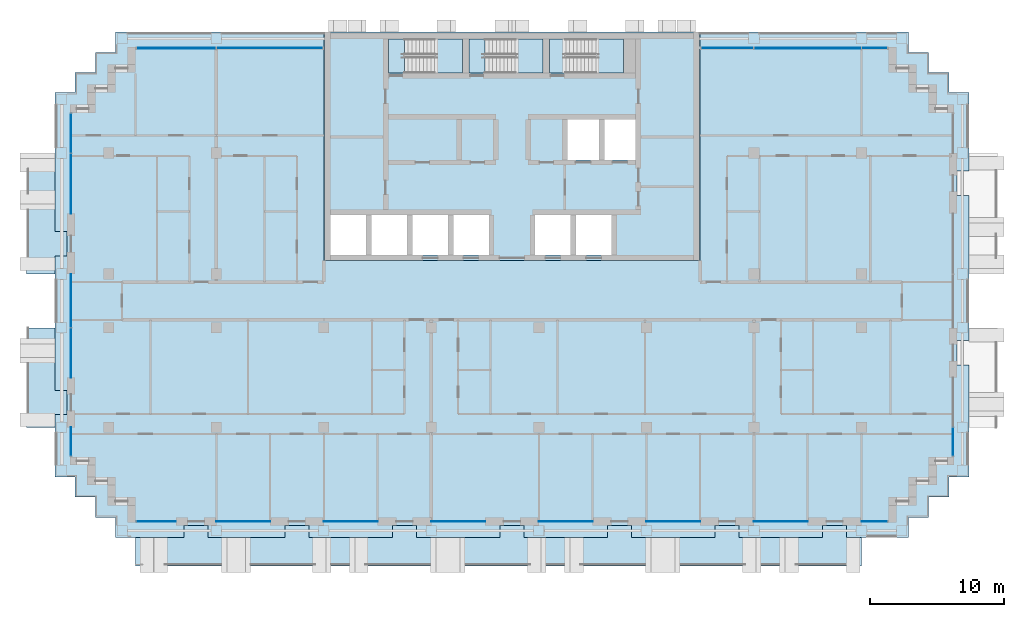
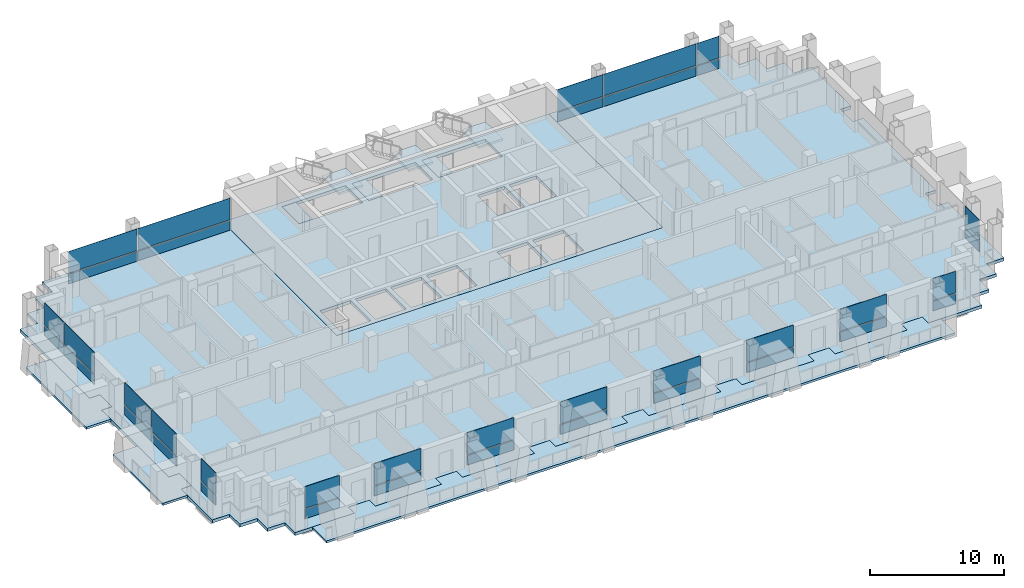
# One storey, part 6 of 16: 38 plates, 11 slabs, 17 elements without a shape of their own.
"""IFC4 building model written with IfcOpenShell, lengths in metres."""

from ifc_helpers import new_model, si_unit, direction, frame, origin, origin_2d, place, context, subcontext, project, spatial, polyline, rectangle, outline, extrude, material, layer, layer_set, type_object, element, aggregate, save


model = new_model("IFC4")

# Units and contexts
model_context = context("Model", 3, precision=1e-05, world=origin(), true_north=direction((0.0, 1.0)))
body_context = subcontext(model_context, "Body", "Model", "MODEL_VIEW")
ifc_project = project(units=[si_unit("LENGTHUNIT", "METRE"), si_unit("AREAUNIT", "SQUARE_METRE"), si_unit("VOLUMEUNIT", "CUBIC_METRE"), si_unit("PLANEANGLEUNIT", "RADIAN"), si_unit("MASSUNIT", "GRAM", prefix="KILO")], contexts=[model_context])

# Site, building, storey
site_placement = place(None, origin())
site = spatial("IfcSite", under=ifc_project, at=site_placement, CompositionType="ELEMENT")
building_placement = place(site_placement, origin())
building = spatial("IfcBuilding", under=site, at=building_placement, Name="Vidyagriha Tower", CompositionType="ELEMENT")
storey_placement = place(building_placement, frame((0.0, 0.0, 145.39990234375)))
storey = spatial("IfcBuildingStorey", under=building, at=storey_placement, Name="L38", CompositionType="ELEMENT", Elevation=145.39990234375)

# Curtain wall, plates
ifc_material_1 = material(Name="Aluminium and glass curtain wall", Category="aluminium")
curtain_wall_type = type_object("IfcCurtainWallType", Name="Dwelling skin unitised curtain wall", PredefinedType="USERDEFINED", material=ifc_material_1)
curtain_wall_1_placement = place(storey_placement, origin())
curtain_wall_1 = element("IfcCurtainWall", 1, at=curtain_wall_1_placement, inside=storey, type_object=curtain_wall_type, Name="CW1 dwelling skin", ObjectType="UNITISED", PredefinedType="USERDEFINED")
ifc_material_2 = material(Name="Glass dark ceramic-fritted spandrel", Category="glass")
ifc_layer_1 = layer(ifc_material_2, 0.0400390625)
ifc_layer_set_1 = layer_set([ifc_layer_1], Name="Glass dark ceramic-fritted spandrel")
plate_type_1 = type_object("IfcPlateType", Name="Ceramic-fritted spandrel panel", PredefinedType="CURTAIN_PANEL", material=ifc_layer_set_1)
plate_1_placement = place(storey_placement, frame((26.982421875, 18.800048828125, 0.0), z_axis=(0.0, 0.0, 1.0), x_axis=(-1.0, 0.0, 0.0)))
plate_1 = element("IfcPlate", 2, at=plate_1_placement, type_object=plate_type_1, Name="CW1 panel 1.1", PredefinedType="CURTAIN_PANEL", context=body_context, shape_type="SweptSolid", body=[
    extrude(rectangle(XDim=1.89501953125, YDim=0.0400390625, at=origin_2d()), origin(), (0.0, 0.0, 1.0), 0.85009765625),
])
plate_2_placement = place(storey_placement, frame((16.017578125, 18.800048828125, 0.0), z_axis=(0.0, 0.0, 1.0), x_axis=(-1.0, 0.0, 0.0)))
plate_2 = element("IfcPlate", 3, at=plate_2_placement, type_object=plate_type_1, Name="CW1 panel 3.1", PredefinedType="CURTAIN_PANEL", context=body_context, shape_type="SweptSolid", body=[
    extrude(rectangle(XDim=3.89501953125, YDim=0.0400390625, at=origin_2d()), origin(), (0.0, 0.0, 1.0), 0.85009765625),
])

# Curtain wall, plate
curtain_wall_2_placement = place(storey_placement, origin())
curtain_wall_2 = element("IfcCurtainWall", 4, at=curtain_wall_2_placement, inside=storey, type_object=curtain_wall_type, Name="CW1 dwelling skin", ObjectType="UNITISED", PredefinedType="USERDEFINED")
plate_3_placement = place(storey_placement, frame((-18.017578125, 18.800048828125, 0.0), z_axis=(0.0, 0.0, 1.0), x_axis=(-1.0, 0.0, 0.0)))
plate_3 = element("IfcPlate", 5, at=plate_3_placement, type_object=plate_type_1, Name="CW1 panel 1.1", PredefinedType="CURTAIN_PANEL", context=body_context, shape_type="SweptSolid", body=[
    extrude(rectangle(XDim=7.89501953125, YDim=0.0400390625, at=origin_2d()), origin(), (0.0, 0.0, 1.0), 0.85009765625),
])

# Curtain wall, plates
curtain_wall_3_placement = place(storey_placement, origin())
curtain_wall_3 = element("IfcCurtainWall", 6, at=curtain_wall_3_placement, inside=storey, type_object=curtain_wall_type, Name="CW1 dwelling skin", ObjectType="UNITISED", PredefinedType="USERDEFINED")
plate_4_placement = place(storey_placement, frame((-32.800048828125, 12.482421875, 0.0), z_axis=(0.0, 0.0, 1.0), x_axis=(0.0, -1.0, 0.0)))
plate_4 = element("IfcPlate", 7, at=plate_4_placement, type_object=plate_type_1, Name="CW1 panel 1.1", PredefinedType="CURTAIN_PANEL", context=body_context, shape_type="SweptSolid", body=[
    extrude(rectangle(XDim=2.89501953125, YDim=0.0400390625, at=origin_2d()), origin(), (0.0, 0.0, 1.0), 0.85009765625),
])
plate_5_placement = place(storey_placement, frame((-32.800048828125, 8.732421875, 0.0), z_axis=(0.0, 0.0, 1.0), x_axis=(0.0, -1.0, 0.0)))
plate_5 = element("IfcPlate", 8, at=plate_5_placement, type_object=plate_type_1, Name="CW1 panel 2.1", PredefinedType="CURTAIN_PANEL", context=body_context, shape_type="SweptSolid", body=[
    extrude(rectangle(XDim=4.465087890625, YDim=0.0400390625, at=origin_2d()), origin(), (0.0, 0.0, 1.0), 0.85009765625),
])

# Curtain wall, plate
curtain_wall_4_placement = place(storey_placement, origin())
curtain_wall_4 = element("IfcCurtainWall", 9, at=curtain_wall_4_placement, inside=storey, type_object=curtain_wall_type, Name="CW1 dwelling skin", ObjectType="UNITISED", PredefinedType="USERDEFINED")
plate_6_placement = place(storey_placement, frame((-32.800048828125, -10.465087890625, 0.0), z_axis=(0.0, 0.0, 1.0), x_axis=(0.0, -1.0, 0.0)))
plate_6 = element("IfcPlate", 10, at=plate_6_placement, type_object=plate_type_1, Name="CW1 panel 1.1", PredefinedType="CURTAIN_PANEL", context=body_context, shape_type="SweptSolid", body=[
    extrude(rectangle(XDim=2.1298828125, YDim=0.0400390625, at=origin_2d()), origin(), (0.0, 0.0, 1.0), 0.85009765625),
])

curtain_wall_5_placement = place(storey_placement, origin())
curtain_wall_5 = element("IfcCurtainWall", 11, at=curtain_wall_5_placement, inside=storey, type_object=curtain_wall_type, Name="CW1 dwelling skin", ObjectType="UNITISED", PredefinedType="USERDEFINED")
plate_7_placement = place(storey_placement, frame((-26.465087890625, -16.39990234375, 0.0)))
plate_7 = element("IfcPlate", 12, at=plate_7_placement, type_object=plate_type_1, Name="CW1 panel 1.1", PredefinedType="CURTAIN_PANEL", context=body_context, shape_type="SweptSolid", body=[
    extrude(rectangle(XDim=2.929931640625, YDim=0.0400390625, at=origin_2d()), origin(), (0.0, 0.0, 1.0), 0.85009765625),
])

curtain_wall_6_placement = place(storey_placement, origin())
curtain_wall_6 = element("IfcCurtainWall", 13, at=curtain_wall_6_placement, inside=storey, type_object=curtain_wall_type, Name="CW1 dwelling skin", ObjectType="UNITISED", PredefinedType="USERDEFINED")
plate_8_placement = place(storey_placement, frame((-12.0, -16.39990234375, 0.0)))
plate_8 = element("IfcPlate", 14, at=plate_8_placement, type_object=plate_type_1, Name="CW1 panel 1.1", PredefinedType="CURTAIN_PANEL", context=body_context, shape_type="SweptSolid", body=[
    extrude(rectangle(XDim=4.0, YDim=0.0400390625, at=origin_2d()), origin(), (0.0, 0.0, 1.0), 0.85009765625),
])

curtain_wall_7_placement = place(storey_placement, origin())
curtain_wall_7 = element("IfcCurtainWall", 15, at=curtain_wall_7_placement, inside=storey, type_object=curtain_wall_type, Name="CW1 dwelling skin", ObjectType="UNITISED", PredefinedType="USERDEFINED")
plate_9_placement = place(storey_placement, frame((4.0, -16.39990234375, 0.0)))
plate_9 = element("IfcPlate", 16, at=plate_9_placement, type_object=plate_type_1, Name="CW1 panel 1.1", PredefinedType="CURTAIN_PANEL", context=body_context, shape_type="SweptSolid", body=[
    extrude(rectangle(XDim=4.0, YDim=0.0400390625, at=origin_2d()), origin(), (0.0, 0.0, 1.0), 0.85009765625),
])

curtain_wall_8_placement = place(storey_placement, origin())
curtain_wall_8 = element("IfcCurtainWall", 17, at=curtain_wall_8_placement, inside=storey, type_object=curtain_wall_type, Name="CW1 dwelling skin", ObjectType="UNITISED", PredefinedType="USERDEFINED")
plate_10_placement = place(storey_placement, frame((20.0, -16.39990234375, 0.0)))
plate_10 = element("IfcPlate", 18, at=plate_10_placement, type_object=plate_type_1, Name="CW1 panel 1.1", PredefinedType="CURTAIN_PANEL", context=body_context, shape_type="SweptSolid", body=[
    extrude(rectangle(XDim=4.0, YDim=0.0400390625, at=origin_2d()), origin(), (0.0, 0.0, 1.0), 0.85009765625),
])

curtain_wall_9_placement = place(storey_placement, origin())
curtain_wall_9 = element("IfcCurtainWall", 19, at=curtain_wall_9_placement, inside=storey, type_object=curtain_wall_type, Name="CW1 dwelling skin", ObjectType="UNITISED", PredefinedType="USERDEFINED")
plate_11_placement = place(storey_placement, frame((26.965087890625, -16.39990234375, 0.0)))
plate_11 = element("IfcPlate", 20, at=plate_11_placement, type_object=plate_type_1, Name="CW1 panel 1.1", PredefinedType="CURTAIN_PANEL", context=body_context, shape_type="SweptSolid", body=[
    extrude(rectangle(XDim=1.929931640625, YDim=0.0400390625, at=origin_2d()), origin(), (0.0, 0.0, 1.0), 0.85009765625),
])

curtain_wall_10_placement = place(storey_placement, origin())
curtain_wall_10 = element("IfcCurtainWall", 21, at=curtain_wall_10_placement, inside=storey, type_object=curtain_wall_type, Name="CW1 dwelling skin", ObjectType="UNITISED", PredefinedType="USERDEFINED")
plate_12_placement = place(storey_placement, frame((32.800048828125, -10.482421875, 0.0), z_axis=(0.0, 0.0, 1.0), x_axis=(0.0, 1.0, 0.0)))
plate_12 = element("IfcPlate", 22, at=plate_12_placement, type_object=plate_type_1, Name="CW1 panel 1.1", PredefinedType="CURTAIN_PANEL", context=body_context, shape_type="SweptSolid", body=[
    extrude(rectangle(XDim=2.094970703125, YDim=0.0400390625, at=origin_2d()), origin(), (0.0, 0.0, 1.0), 0.85009765625),
])

# Slab
ifc_material_3 = material(Name="Concrete C60/75", Category="concrete")
ifc_layer_2 = layer(ifc_material_3, 0.280029296875)
ifc_layer_set_2 = layer_set([ifc_layer_2], Name="Concrete C60/75")
slab_type_1 = type_object("IfcSlabType", Name="Core floor slab 280 mm", PredefinedType="FLOOR", material=ifc_layer_set_2)
slab_1_placement = place(storey_placement, frame((0.0, 0.0, -0.27978515625)))
element("IfcSlab", 23, at=slab_1_placement, inside=storey, type_object=slab_type_1, Name="L38 core floor 1", PredefinedType="FLOOR", context=body_context, shape_type="SweptSolid", body=[
    extrude(outline(polyline([(-14.0, 3.0), (-14.0, 20.0), (14.0, 20.0), (14.0, 3.0), (-14.0, 3.0)]), holes=[polyline([(9.199951171875, 13.5), (6.86669921875, 13.5), (6.86669921875, 10.5), (9.199951171875, 10.5), (9.199951171875, 13.5)]), polyline([(4.0, 19.5), (2.800048828125, 19.5), (2.800048828125, 16.949951171875), (4.0, 16.949951171875), (8.300048828125, 16.949951171875), (8.300048828125, 19.5), (4.0, 19.5)]), polyline([(7.4111328125, 6.39990234375), (4.7666015625, 6.39990234375), (4.7666015625, 3.39990234375), (7.4111328125, 3.39990234375), (7.4111328125, 6.39990234375)]), polyline([(6.466796875, 13.5), (4.13330078125, 13.5), (4.13330078125, 10.5), (6.466796875, 10.5), (6.466796875, 13.5)]), polyline([(1.72216796875, 6.39990234375), (1.72216796875, 3.39990234375), (4.36669921875, 3.39990234375), (4.36669921875, 6.39990234375), (1.72216796875, 6.39990234375)]), polyline([(-2.0, 16.949951171875), (2.300048828125, 16.949951171875), (2.300048828125, 19.5), (-2.0, 19.5), (-3.199951171875, 19.5), (-3.199951171875, 16.949951171875), (-2.0, 16.949951171875)]), polyline([(-1.72216796875, 6.39990234375), (-4.36669921875, 6.39990234375), (-4.36669921875, 3.39990234375), (-1.72216796875, 3.39990234375), (-1.72216796875, 6.39990234375)]), polyline([(-8.0, 19.5), (-9.199951171875, 19.5), (-9.199951171875, 16.949951171875), (-8.0, 16.949951171875), (-3.699951171875, 16.949951171875), (-3.699951171875, 19.5), (-8.0, 19.5)]), polyline([(-4.7666015625, 6.39990234375), (-7.4111328125, 6.39990234375), (-7.4111328125, 3.39990234375), (-4.7666015625, 3.39990234375), (-4.7666015625, 6.39990234375)]), polyline([(-7.81103515625, 6.39990234375), (-10.45556640625, 6.39990234375), (-10.45556640625, 3.39990234375), (-7.81103515625, 3.39990234375), (-7.81103515625, 6.39990234375)]), polyline([(-13.5, 6.39990234375), (-13.5, 3.39990234375), (-10.855712890625, 3.39990234375), (-10.855712890625, 6.39990234375), (-13.5, 6.39990234375)])]), origin(), (0.0, 0.0, 1.0), 0.27978515625),
])

# Plate
ifc_material_4 = material(Name="Glass dark ceramic-fritted", Category="glass")
ifc_layer_3 = layer(ifc_material_4, 0.028076171875)
ifc_layer_set_3 = layer_set([ifc_layer_3], Name="Glass dark ceramic-fritted")
plate_type_2 = type_object("IfcPlateType", Name="Dark ceramic-fritted vision glass panel", PredefinedType="CURTAIN_PANEL", material=ifc_layer_set_3)
plate_13_placement = place(storey_placement, frame((26.982421875, 18.800048828125, 0.9501953125), z_axis=(0.0, 0.0, 1.0), x_axis=(-1.0, 0.0, 0.0)))
plate_13 = element("IfcPlate", 24, at=plate_13_placement, type_object=plate_type_2, Name="CW1 panel 1.2", PredefinedType="CURTAIN_PANEL", context=body_context, shape_type="SweptSolid", body=[
    extrude(rectangle(XDim=1.89501953125, YDim=0.028076171875, at=origin_2d()), origin(), (0.0, 0.0, 1.0), 1.969970703125),
])

plate_14_placement = place(storey_placement, frame((22.0, 18.800048828125, 0.9501953125), z_axis=(0.0, 0.0, 1.0), x_axis=(-1.0, 0.0, 0.0)))
plate_14 = element("IfcPlate", 25, at=plate_14_placement, type_object=plate_type_2, Name="CW1 panel 2.2", PredefinedType="CURTAIN_PANEL", context=body_context, shape_type="SweptSolid", body=[
    extrude(rectangle(XDim=7.929931640625, YDim=0.028076171875, at=origin_2d()), origin(), (0.0, 0.0, 1.0), 1.969970703125),
])

plate_15_placement = place(storey_placement, frame((16.017578125, 18.800048828125, 0.9501953125), z_axis=(0.0, 0.0, 1.0), x_axis=(-1.0, 0.0, 0.0)))
plate_15 = element("IfcPlate", 26, at=plate_15_placement, type_object=plate_type_2, Name="CW1 panel 3.2", PredefinedType="CURTAIN_PANEL", context=body_context, shape_type="SweptSolid", body=[
    extrude(rectangle(XDim=3.89501953125, YDim=0.028076171875, at=origin_2d()), origin(), (0.0, 0.0, 1.0), 1.969970703125),
])

plate_16_placement = place(storey_placement, frame((-18.017578125, 18.800048828125, 0.9501953125), z_axis=(0.0, 0.0, 1.0), x_axis=(-1.0, 0.0, 0.0)))
plate_16 = element("IfcPlate", 27, at=plate_16_placement, type_object=plate_type_2, Name="CW1 panel 1.2", PredefinedType="CURTAIN_PANEL", context=body_context, shape_type="SweptSolid", body=[
    extrude(rectangle(XDim=7.89501953125, YDim=0.028076171875, at=origin_2d()), origin(), (0.0, 0.0, 1.0), 1.969970703125),
])

plate_17_placement = place(storey_placement, frame((-24.982421875, 18.800048828125, 0.9501953125), z_axis=(0.0, 0.0, 1.0), x_axis=(-1.0, 0.0, 0.0)))
plate_17 = element("IfcPlate", 28, at=plate_17_placement, type_object=plate_type_2, Name="CW1 panel 2.2", PredefinedType="CURTAIN_PANEL", context=body_context, shape_type="SweptSolid", body=[
    extrude(rectangle(XDim=5.89501953125, YDim=0.028076171875, at=origin_2d()), origin(), (0.0, 0.0, 1.0), 1.969970703125),
])

plate_18_placement = place(storey_placement, frame((-32.800048828125, 12.482421875, 0.9501953125), z_axis=(0.0, 0.0, 1.0), x_axis=(0.0, -1.0, 0.0)))
plate_18 = element("IfcPlate", 29, at=plate_18_placement, type_object=plate_type_2, Name="CW1 panel 1.2", PredefinedType="CURTAIN_PANEL", context=body_context, shape_type="SweptSolid", body=[
    extrude(rectangle(XDim=2.89501953125, YDim=0.028076171875, at=origin_2d()), origin(), (0.0, 0.0, 1.0), 1.969970703125),
])

plate_19_placement = place(storey_placement, frame((-32.800048828125, 8.732421875, 0.9501953125), z_axis=(0.0, 0.0, 1.0), x_axis=(0.0, -1.0, 0.0)))
plate_19 = element("IfcPlate", 30, at=plate_19_placement, type_object=plate_type_2, Name="CW1 panel 2.2", PredefinedType="CURTAIN_PANEL", context=body_context, shape_type="SweptSolid", body=[
    extrude(rectangle(XDim=4.465087890625, YDim=0.028076171875, at=origin_2d()), origin(), (0.0, 0.0, 1.0), 1.969970703125),
])

aggregate(curtain_wall_3, [plate_4, plate_18, plate_5, plate_19])

# Curtain wall, plates
curtain_wall_11_placement = place(storey_placement, origin())
curtain_wall_11 = element("IfcCurtainWall", 31, at=curtain_wall_11_placement, inside=storey, type_object=curtain_wall_type, Name="CW1 dwelling skin", ObjectType="UNITISED", PredefinedType="USERDEFINED")
plate_20_placement = place(storey_placement, frame((-32.800048828125, 0.017578125, 0.9501953125), z_axis=(0.0, 0.0, 1.0), x_axis=(0.0, -1.0, 0.0)))
plate_20 = element("IfcPlate", 32, at=plate_20_placement, type_object=plate_type_2, Name="CW1 panel 1.2", PredefinedType="CURTAIN_PANEL", context=body_context, shape_type="SweptSolid", body=[
    extrude(rectangle(XDim=3.965087890625, YDim=0.028076171875, at=origin_2d()), origin(), (0.0, 0.0, 1.0), 1.969970703125),
])
plate_21_placement = place(storey_placement, frame((-32.800048828125, -3.867431640625, 0.9501953125), z_axis=(0.0, 0.0, 1.0), x_axis=(0.0, -1.0, 0.0)))
plate_21 = element("IfcPlate", 33, at=plate_21_placement, type_object=plate_type_2, Name="CW1 panel 2.2", PredefinedType="CURTAIN_PANEL", context=body_context, shape_type="SweptSolid", body=[
    extrude(rectangle(XDim=3.6650390625, YDim=0.028076171875, at=origin_2d()), origin(), (0.0, 0.0, 1.0), 1.969970703125),
])

# Plate
plate_22_placement = place(storey_placement, frame((-32.800048828125, -10.465087890625, 0.9501953125), z_axis=(0.0, 0.0, 1.0), x_axis=(0.0, -1.0, 0.0)))
plate_22 = element("IfcPlate", 34, at=plate_22_placement, type_object=plate_type_2, Name="CW1 panel 1.2", PredefinedType="CURTAIN_PANEL", context=body_context, shape_type="SweptSolid", body=[
    extrude(rectangle(XDim=2.1298828125, YDim=0.028076171875, at=origin_2d()), origin(), (0.0, 0.0, 1.0), 1.969970703125),
])

aggregate(curtain_wall_4, [plate_6, plate_22])

plate_23_placement = place(storey_placement, frame((-26.465087890625, -16.39990234375, 0.9501953125)))
plate_23 = element("IfcPlate", 35, at=plate_23_placement, type_object=plate_type_2, Name="CW1 panel 1.2", PredefinedType="CURTAIN_PANEL", context=body_context, shape_type="SweptSolid", body=[
    extrude(rectangle(XDim=2.929931640625, YDim=0.028076171875, at=origin_2d()), origin(), (0.0, 0.0, 1.0), 1.969970703125),
])

aggregate(curtain_wall_5, [plate_7, plate_23])

# Curtain wall, plate
curtain_wall_12_placement = place(storey_placement, origin())
curtain_wall_12 = element("IfcCurtainWall", 36, at=curtain_wall_12_placement, inside=storey, type_object=curtain_wall_type, Name="CW1 dwelling skin", ObjectType="UNITISED", PredefinedType="USERDEFINED")
plate_24_placement = place(storey_placement, frame((-20.0, -16.39990234375, 0.9501953125)))
plate_24 = element("IfcPlate", 37, at=plate_24_placement, type_object=plate_type_2, Name="CW1 panel 1.2", PredefinedType="CURTAIN_PANEL", context=body_context, shape_type="SweptSolid", body=[
    extrude(rectangle(XDim=4.0, YDim=0.028076171875, at=origin_2d()), origin(), (0.0, 0.0, 1.0), 1.969970703125),
])

# Plate
plate_25_placement = place(storey_placement, frame((-12.0, -16.39990234375, 0.9501953125)))
plate_25 = element("IfcPlate", 38, at=plate_25_placement, type_object=plate_type_2, Name="CW1 panel 1.2", PredefinedType="CURTAIN_PANEL", context=body_context, shape_type="SweptSolid", body=[
    extrude(rectangle(XDim=4.0, YDim=0.028076171875, at=origin_2d()), origin(), (0.0, 0.0, 1.0), 1.969970703125),
])

aggregate(curtain_wall_6, [plate_8, plate_25])

# Curtain wall, plate
curtain_wall_13_placement = place(storey_placement, origin())
curtain_wall_13 = element("IfcCurtainWall", 39, at=curtain_wall_13_placement, inside=storey, type_object=curtain_wall_type, Name="CW1 dwelling skin", ObjectType="UNITISED", PredefinedType="USERDEFINED")
plate_26_placement = place(storey_placement, frame((-4.0, -16.39990234375, 0.9501953125)))
plate_26 = element("IfcPlate", 40, at=plate_26_placement, type_object=plate_type_2, Name="CW1 panel 1.2", PredefinedType="CURTAIN_PANEL", context=body_context, shape_type="SweptSolid", body=[
    extrude(rectangle(XDim=4.0, YDim=0.028076171875, at=origin_2d()), origin(), (0.0, 0.0, 1.0), 1.969970703125),
])

# Plate
plate_27_placement = place(storey_placement, frame((4.0, -16.39990234375, 0.9501953125)))
plate_27 = element("IfcPlate", 41, at=plate_27_placement, type_object=plate_type_2, Name="CW1 panel 1.2", PredefinedType="CURTAIN_PANEL", context=body_context, shape_type="SweptSolid", body=[
    extrude(rectangle(XDim=4.0, YDim=0.028076171875, at=origin_2d()), origin(), (0.0, 0.0, 1.0), 1.969970703125),
])

aggregate(curtain_wall_7, [plate_9, plate_27])

# Curtain wall, plate
curtain_wall_14_placement = place(storey_placement, origin())
curtain_wall_14 = element("IfcCurtainWall", 42, at=curtain_wall_14_placement, inside=storey, type_object=curtain_wall_type, Name="CW1 dwelling skin", ObjectType="UNITISED", PredefinedType="USERDEFINED")
plate_28_placement = place(storey_placement, frame((12.0, -16.39990234375, 0.9501953125)))
plate_28 = element("IfcPlate", 43, at=plate_28_placement, type_object=plate_type_2, Name="CW1 panel 1.2", PredefinedType="CURTAIN_PANEL", context=body_context, shape_type="SweptSolid", body=[
    extrude(rectangle(XDim=4.0, YDim=0.028076171875, at=origin_2d()), origin(), (0.0, 0.0, 1.0), 1.969970703125),
])

# Plate
plate_29_placement = place(storey_placement, frame((20.0, -16.39990234375, 0.9501953125)))
plate_29 = element("IfcPlate", 44, at=plate_29_placement, type_object=plate_type_2, Name="CW1 panel 1.2", PredefinedType="CURTAIN_PANEL", context=body_context, shape_type="SweptSolid", body=[
    extrude(rectangle(XDim=4.0, YDim=0.028076171875, at=origin_2d()), origin(), (0.0, 0.0, 1.0), 1.969970703125),
])

aggregate(curtain_wall_8, [plate_10, plate_29])

plate_30_placement = place(storey_placement, frame((26.965087890625, -16.39990234375, 0.9501953125)))
plate_30 = element("IfcPlate", 45, at=plate_30_placement, type_object=plate_type_2, Name="CW1 panel 1.2", PredefinedType="CURTAIN_PANEL", context=body_context, shape_type="SweptSolid", body=[
    extrude(rectangle(XDim=1.929931640625, YDim=0.028076171875, at=origin_2d()), origin(), (0.0, 0.0, 1.0), 1.969970703125),
])

aggregate(curtain_wall_9, [plate_11, plate_30])

plate_31_placement = place(storey_placement, frame((32.800048828125, -10.482421875, 0.9501953125), z_axis=(0.0, 0.0, 1.0), x_axis=(0.0, 1.0, 0.0)))
plate_31 = element("IfcPlate", 46, at=plate_31_placement, type_object=plate_type_2, Name="CW1 panel 1.2", PredefinedType="CURTAIN_PANEL", context=body_context, shape_type="SweptSolid", body=[
    extrude(rectangle(XDim=2.094970703125, YDim=0.028076171875, at=origin_2d()), origin(), (0.0, 0.0, 1.0), 1.969970703125),
])

aggregate(curtain_wall_10, [plate_12, plate_31])

# Slabs
ifc_material_5 = material(Name="Concrete C40/50", Category="concrete")
ifc_layer_4 = layer(ifc_material_5, 0.280029296875)
ifc_layer_set_4 = layer_set([ifc_layer_4], Name="Concrete C40/50")
slab_type_2 = type_object("IfcSlabType", Name="Exit stair floor landing 280 mm", PredefinedType="LANDING", material=ifc_layer_set_4)
slab_2_placement = place(storey_placement, frame((0.0, 0.0, -0.27978515625)))
element("IfcSlab", 47, at=slab_2_placement, inside=storey, type_object=slab_type_2, Name="ST1 floor landing L38", PredefinedType="LANDING", context=body_context, shape_type="SweptSolid", body=[
    extrude(outline(polyline([(-9.199951171875, 16.949951171875), (-8.0, 16.949951171875), (-8.0, 19.5), (-9.199951171875, 19.5), (-9.199951171875, 16.949951171875)])), origin(), (0.0, 0.0, 1.0), 0.27978515625),
])
slab_3_placement = place(storey_placement, frame((0.0, 0.0, -0.27978515625)))
element("IfcSlab", 48, at=slab_3_placement, inside=storey, type_object=slab_type_2, Name="ST2 floor landing L38", PredefinedType="LANDING", context=body_context, shape_type="SweptSolid", body=[
    extrude(outline(polyline([(-3.199951171875, 16.949951171875), (-2.0, 16.949951171875), (-2.0, 19.5), (-3.199951171875, 19.5), (-3.199951171875, 16.949951171875)])), origin(), (0.0, 0.0, 1.0), 0.27978515625),
])
slab_4_placement = place(storey_placement, frame((0.0, 0.0, -0.27978515625)))
element("IfcSlab", 49, at=slab_4_placement, inside=storey, type_object=slab_type_2, Name="ST3 floor landing L38", PredefinedType="LANDING", context=body_context, shape_type="SweptSolid", body=[
    extrude(outline(polyline([(2.800048828125, 16.949951171875), (4.0, 16.949951171875), (4.0, 19.5), (2.800048828125, 19.5), (2.800048828125, 16.949951171875)])), origin(), (0.0, 0.0, 1.0), 0.27978515625),
])

# Stair, slab
ifc_material_6 = material(Name="Concrete C40/50", Category="concrete")
stair_type = type_object("IfcStairType", Name="Exit stair, half-turn, precast flights", PredefinedType="HALF_TURN_STAIR", material=ifc_material_6)
stair_1_placement = place(storey_placement, origin())
stair_1 = element("IfcStair", 50, at=stair_1_placement, inside=storey, type_object=stair_type, Name="L38 Exit Stair ST1", PredefinedType="HALF_TURN_STAIR")
ifc_material_7 = material(Name="Concrete C40/50", Category="concrete")
ifc_layer_5 = layer(ifc_material_7, 0.199951171875)
ifc_layer_set_5 = layer_set([ifc_layer_5], Name="Concrete C40/50")
slab_type_3 = type_object("IfcSlabType", Name="Exit stair landing 200 mm", PredefinedType="LANDING", material=ifc_layer_set_5)
slab_5_placement = place(storey_placement, frame((0.0, 0.0, 1.400146484375)))
slab_5 = element("IfcSlab", 51, at=slab_5_placement, type_object=slab_type_3, Name="ST1 landing 1", PredefinedType="LANDING", context=body_context, shape_type="SweptSolid", body=[
    extrude(outline(polyline([(-5.760009765625, 16.949951171875), (-3.699951171875, 16.949951171875), (-3.699951171875, 19.5), (-5.760009765625, 19.5), (-5.760009765625, 16.949951171875)])), origin(), (0.0, 0.0, 1.0), 0.199951171875),
])
aggregate(stair_1, [slab_5])

stair_2_placement = place(storey_placement, origin())
stair_2 = element("IfcStair", 52, at=stair_2_placement, inside=storey, type_object=stair_type, Name="L38 Exit Stair ST2", PredefinedType="HALF_TURN_STAIR")
slab_6_placement = place(storey_placement, frame((0.0, 0.0, 1.400146484375)))
slab_6 = element("IfcSlab", 53, at=slab_6_placement, type_object=slab_type_3, Name="ST2 landing 1", PredefinedType="LANDING", context=body_context, shape_type="SweptSolid", body=[
    extrude(outline(polyline([(0.239990234375, 16.949951171875), (2.300048828125, 16.949951171875), (2.300048828125, 19.5), (0.239990234375, 19.5), (0.239990234375, 16.949951171875)])), origin(), (0.0, 0.0, 1.0), 0.199951171875),
])
aggregate(stair_2, [slab_6])

stair_3_placement = place(storey_placement, origin())
stair_3 = element("IfcStair", 54, at=stair_3_placement, inside=storey, type_object=stair_type, Name="L38 Exit Stair ST3", PredefinedType="HALF_TURN_STAIR")
slab_7_placement = place(storey_placement, frame((0.0, 0.0, 1.400146484375)))
slab_7 = element("IfcSlab", 55, at=slab_7_placement, type_object=slab_type_3, Name="ST3 landing 1", PredefinedType="LANDING", context=body_context, shape_type="SweptSolid", body=[
    extrude(outline(polyline([(6.239990234375, 16.949951171875), (8.300048828125, 16.949951171875), (8.300048828125, 19.5), (6.239990234375, 19.5), (6.239990234375, 16.949951171875)])), origin(), (0.0, 0.0, 1.0), 0.199951171875),
])
aggregate(stair_3, [slab_7])

# Plate
ifc_material_8 = material(Name="Aluminium black anodised", Category="aluminium")
ifc_layer_6 = layer(ifc_material_8, 0.06005859375)
ifc_layer_set_6 = layer_set([ifc_layer_6], Name="Aluminium black anodised")
plate_type_3 = type_object("IfcPlateType", Name="Operable black-metal vent panel", PredefinedType="CURTAIN_PANEL", material=ifc_layer_set_6)
plate_32_placement = place(storey_placement, frame((22.0, 18.800048828125, 0.0), z_axis=(0.0, 0.0, 1.0), x_axis=(-1.0, 0.0, 0.0)))
plate_32 = element("IfcPlate", 56, at=plate_32_placement, type_object=plate_type_3, Name="CW1 panel 2.1", PredefinedType="CURTAIN_PANEL", context=body_context, shape_type="SweptSolid", body=[
    extrude(rectangle(XDim=7.929931640625, YDim=0.06005859375, at=origin_2d()), origin(), (0.0, 0.0, 1.0), 0.85009765625),
])

aggregate(curtain_wall_1, [plate_1, plate_13, plate_32, plate_14, plate_2, plate_15])

plate_33_placement = place(storey_placement, frame((-24.982421875, 18.800048828125, 0.0), z_axis=(0.0, 0.0, 1.0), x_axis=(-1.0, 0.0, 0.0)))
plate_33 = element("IfcPlate", 57, at=plate_33_placement, type_object=plate_type_3, Name="CW1 panel 2.1", PredefinedType="CURTAIN_PANEL", context=body_context, shape_type="SweptSolid", body=[
    extrude(rectangle(XDim=5.89501953125, YDim=0.06005859375, at=origin_2d()), origin(), (0.0, 0.0, 1.0), 0.85009765625),
])

aggregate(curtain_wall_2, [plate_3, plate_16, plate_33, plate_17])

plate_34_placement = place(storey_placement, frame((-32.800048828125, 0.017578125, 0.0), z_axis=(0.0, 0.0, 1.0), x_axis=(0.0, -1.0, 0.0)))
plate_34 = element("IfcPlate", 58, at=plate_34_placement, type_object=plate_type_3, Name="CW1 panel 1.1", PredefinedType="CURTAIN_PANEL", context=body_context, shape_type="SweptSolid", body=[
    extrude(rectangle(XDim=3.965087890625, YDim=0.06005859375, at=origin_2d()), origin(), (0.0, 0.0, 1.0), 0.85009765625),
])

plate_35_placement = place(storey_placement, frame((-32.800048828125, -3.867431640625, 0.0), z_axis=(0.0, 0.0, 1.0), x_axis=(0.0, -1.0, 0.0)))
plate_35 = element("IfcPlate", 59, at=plate_35_placement, type_object=plate_type_3, Name="CW1 panel 2.1", PredefinedType="CURTAIN_PANEL", context=body_context, shape_type="SweptSolid", body=[
    extrude(rectangle(XDim=3.6650390625, YDim=0.06005859375, at=origin_2d()), origin(), (0.0, 0.0, 1.0), 0.85009765625),
])

aggregate(curtain_wall_11, [plate_34, plate_20, plate_35, plate_21])

plate_36_placement = place(storey_placement, frame((-20.0, -16.39990234375, 0.0)))
plate_36 = element("IfcPlate", 60, at=plate_36_placement, type_object=plate_type_3, Name="CW1 panel 1.1", PredefinedType="CURTAIN_PANEL", context=body_context, shape_type="SweptSolid", body=[
    extrude(rectangle(XDim=4.0, YDim=0.06005859375, at=origin_2d()), origin(), (0.0, 0.0, 1.0), 0.85009765625),
])

aggregate(curtain_wall_12, [plate_36, plate_24])

plate_37_placement = place(storey_placement, frame((-4.0, -16.39990234375, 0.0)))
plate_37 = element("IfcPlate", 61, at=plate_37_placement, type_object=plate_type_3, Name="CW1 panel 1.1", PredefinedType="CURTAIN_PANEL", context=body_context, shape_type="SweptSolid", body=[
    extrude(rectangle(XDim=4.0, YDim=0.06005859375, at=origin_2d()), origin(), (0.0, 0.0, 1.0), 0.85009765625),
])

aggregate(curtain_wall_13, [plate_37, plate_26])

plate_38_placement = place(storey_placement, frame((12.0, -16.39990234375, 0.0)))
plate_38 = element("IfcPlate", 62, at=plate_38_placement, type_object=plate_type_3, Name="CW1 panel 1.1", PredefinedType="CURTAIN_PANEL", context=body_context, shape_type="SweptSolid", body=[
    extrude(rectangle(XDim=4.0, YDim=0.06005859375, at=origin_2d()), origin(), (0.0, 0.0, 1.0), 0.85009765625),
])

aggregate(curtain_wall_14, [plate_38, plate_28])

# Slabs
ifc_material_9 = material(Name="Concrete C50/60", Category="concrete")
ifc_layer_7 = layer(ifc_material_9, 0.280029296875)
ifc_layer_set_7 = layer_set([ifc_layer_7], Name="Concrete C50/60")
slab_type_4 = type_object("IfcSlabType", Name="Post-tensioned flat plate 280", PredefinedType="FLOOR", material=ifc_layer_set_7)
slab_8_placement = place(storey_placement, frame((0.0, 0.0, -0.27978515625)))
element("IfcSlab", 63, at=slab_8_placement, inside=storey, type_object=slab_type_4, Name="st-slab-L38-1", PredefinedType="FLOOR", context=body_context, shape_type="SweptSolid", body=[
    extrude(outline(polyline([(32.5, -14.60009765625), (31.0, -14.60009765625), (31.0, -16.10009765625), (29.5, -16.10009765625), (29.5, -17.60009765625), (24.89990234375, -17.60009765625), (24.89990234375, -16.699951171875), (23.10009765625, -16.699951171875), (23.10009765625, -17.60009765625), (16.89990234375, -17.60009765625), (16.89990234375, -16.699951171875), (15.10009765625, -16.699951171875), (15.10009765625, -17.60009765625), (8.89990234375, -17.60009765625), (8.89990234375, -16.699951171875), (7.10009765625, -16.699951171875), (7.10009765625, -17.60009765625), (0.89990234375, -17.60009765625), (0.89990234375, -16.699951171875), (-0.89990234375, -16.699951171875), (-0.89990234375, -17.60009765625), (-7.10009765625, -17.60009765625), (-7.10009765625, -16.699951171875), (-8.89990234375, -16.699951171875), (-8.89990234375, -17.60009765625), (-15.10009765625, -17.60009765625), (-15.10009765625, -16.699951171875), (-16.89990234375, -16.699951171875), (-16.89990234375, -17.60009765625), (-22.60009765625, -17.60009765625), (-22.60009765625, -16.699951171875), (-24.39990234375, -16.699951171875), (-24.39990234375, -17.60009765625), (-29.5, -17.60009765625), (-29.5, -16.10009765625), (-31.0, -16.10009765625), (-31.0, -14.60009765625), (-32.5, -14.60009765625), (-32.5, -13.10009765625), (-34.0, -13.10009765625), (-34.0, -8.449951171875), (-33.10009765625, -8.449951171875), (-33.10009765625, -6.64990234375), (-34.0, -6.64990234375), (-34.0, 3.35009765625), (-33.10009765625, 3.35009765625), (-33.10009765625, 5.14990234375), (-34.0, 5.14990234375), (-34.0, 15.5), (-32.5, 15.5), (-32.5, 17.0), (-31.0, 17.0), (-31.0, 18.5), (-29.5, 18.5), (-29.5, 20.0), (-14.0, 20.0), (-14.0, 3.0), (14.0, 3.0), (14.0, 20.0), (29.5, 20.0), (29.5, 18.5), (31.0, 18.5), (31.0, 17.0), (32.5, 17.0), (32.5, 15.5), (34.0, 15.5), (34.0, 9.64990234375), (33.10009765625, 9.64990234375), (33.10009765625, 7.85009765625), (34.0, 7.85009765625), (34.0, -2.949951171875), (33.10009765625, -2.949951171875), (33.10009765625, -4.75), (34.0, -4.75), (34.0, -13.10009765625), (32.5, -13.10009765625), (32.5, -14.60009765625)])), origin(), (0.0, 0.0, 1.0), 0.27978515625),
])
ifc_material_10 = material(Name="Precast concrete C40/50", Category="concrete")
ifc_layer_8 = layer(ifc_material_10, 0.199951171875)
ifc_layer_set_8 = layer_set([ifc_layer_8], Name="Precast concrete C40/50")
slab_type_5 = type_object("IfcSlabType", Name="Precast balcony slab 200", PredefinedType="USERDEFINED", material=ifc_layer_set_8)
slab_9_placement = place(storey_placement, frame((0.0, 0.0, -0.199951171875)))
element("IfcSlab", 64, at=slab_9_placement, inside=storey, type_object=slab_type_5, Name="Balcony slab L38 R16.1-1", ObjectType="BALCONY", PredefinedType="USERDEFINED", context=body_context, shape_type="SweptSolid", body=[
    extrude(outline(polyline([(-33.10009765625, 3.35009765625), (-33.10009765625, 5.14990234375), (-34.0, 5.14990234375), (-34.0, 11.0), (-36.10009765625, 11.0), (-36.10009765625, 2.0), (-34.0, 2.0), (-34.0, 3.35009765625), (-33.10009765625, 3.35009765625)])), origin(), (0.0, 0.0, 1.0), 0.199951171875),
])
slab_10_placement = place(storey_placement, frame((0.0, 0.0, -0.199951171875)))
element("IfcSlab", 65, at=slab_10_placement, inside=storey, type_object=slab_type_5, Name="Balcony slab L38 R16.2-2", ObjectType="BALCONY", PredefinedType="USERDEFINED", context=body_context, shape_type="SweptSolid", body=[
    extrude(outline(polyline([(-33.10009765625, -8.449951171875), (-33.10009765625, -6.64990234375), (-34.0, -6.64990234375), (-34.0, -2.0), (-36.10009765625, -2.0), (-36.10009765625, -9.39990234375), (-34.0, -9.39990234375), (-34.0, -8.449951171875), (-33.10009765625, -8.449951171875)])), origin(), (0.0, 0.0, 1.0), 0.199951171875),
])
slab_11_placement = place(storey_placement, frame((0.0, 0.0, -0.199951171875)))
element("IfcSlab", 66, at=slab_11_placement, inside=storey, type_object=slab_type_5, Name="Balcony slab L38 R23.1-7", ObjectType="BALCONY", PredefinedType="USERDEFINED", context=body_context, shape_type="SweptSolid", body=[
    extrude(outline(polyline([(-22.60009765625, -16.699951171875), (-24.39990234375, -16.699951171875), (-24.39990234375, -17.60009765625), (-28.0, -17.60009765625), (-28.0, -19.699951171875), (26.0, -19.699951171875), (26.0, -17.60009765625), (24.89990234375, -17.60009765625), (24.89990234375, -16.699951171875), (23.10009765625, -16.699951171875), (23.10009765625, -17.60009765625), (16.89990234375, -17.60009765625), (16.89990234375, -16.699951171875), (15.10009765625, -16.699951171875), (15.10009765625, -17.60009765625), (8.89990234375, -17.60009765625), (8.89990234375, -16.699951171875), (7.10009765625, -16.699951171875), (7.10009765625, -17.60009765625), (0.89990234375, -17.60009765625), (0.89990234375, -16.699951171875), (-0.89990234375, -16.699951171875), (-0.89990234375, -17.60009765625), (-7.10009765625, -17.60009765625), (-7.10009765625, -16.699951171875), (-8.89990234375, -16.699951171875), (-8.89990234375, -17.60009765625), (-15.10009765625, -17.60009765625), (-15.10009765625, -16.699951171875), (-16.89990234375, -16.699951171875), (-16.89990234375, -17.60009765625), (-22.60009765625, -17.60009765625), (-22.60009765625, -16.699951171875)])), origin(), (0.0, 0.0, 1.0), 0.199951171875),
])

save(model, "model.ifc")
